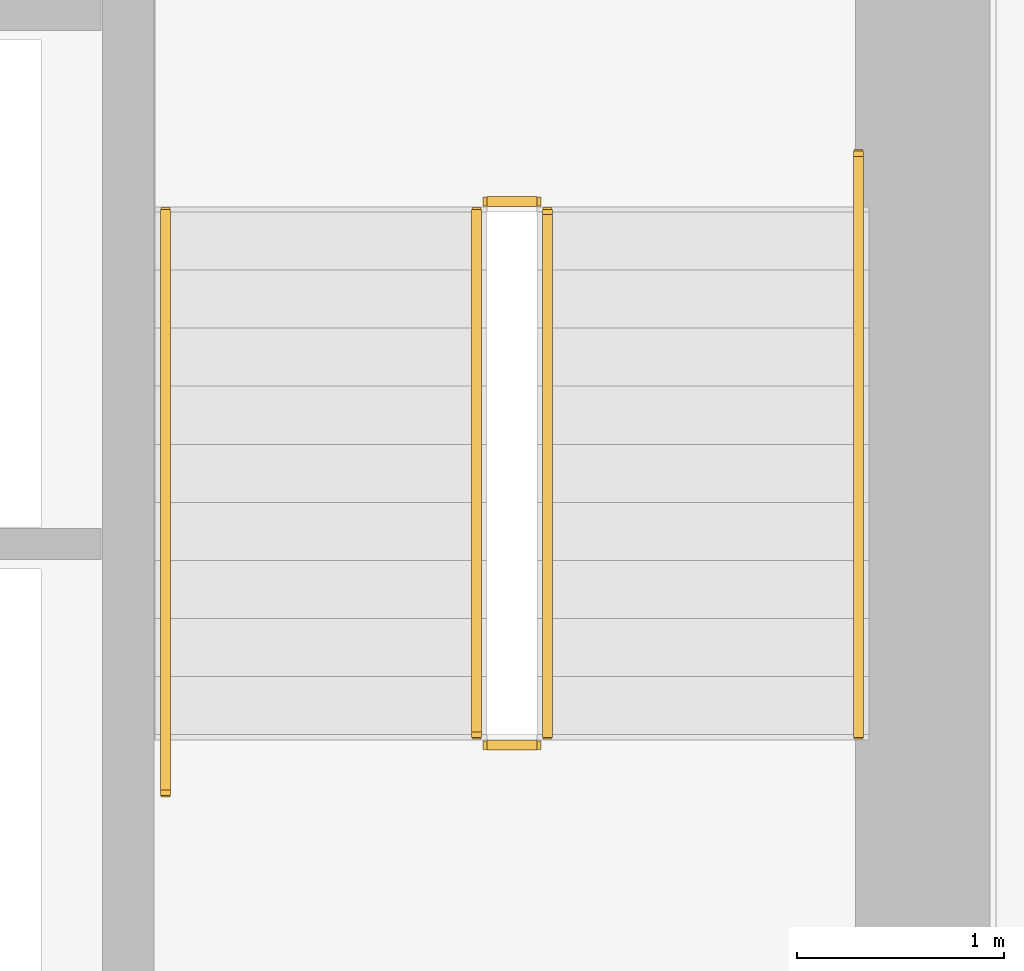
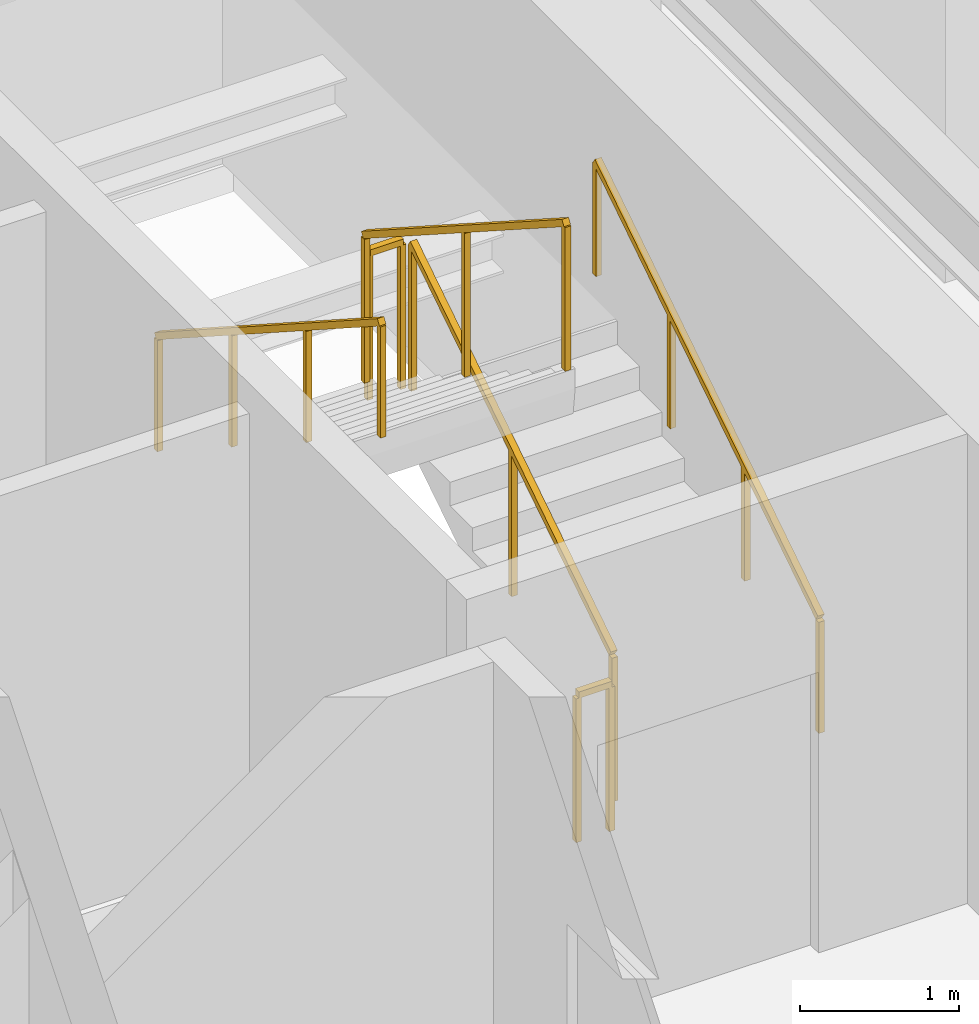
# One storey, part 27 of 28: 6 railings.
"""IFC4 building model written with IfcOpenShell, lengths in metres."""

from ifc_helpers import new_model, si_unit, direction, frame, origin, origin_2d, place, context, subcontext, project, spatial, rectangle, extrude, material, type_object, element, save


model = new_model("IFC4")

# Units and contexts
model_context = context("Model", 3, precision=1e-05, world=origin(), true_north=direction((0.0, 1.0)))
body_context = subcontext(model_context, "Body", "Model", "MODEL_VIEW")
ifc_project = project(units=[si_unit("LENGTHUNIT", "METRE"), si_unit("AREAUNIT", "SQUARE_METRE"), si_unit("VOLUMEUNIT", "CUBIC_METRE"), si_unit("PLANEANGLEUNIT", "RADIAN"), si_unit("MASSUNIT", "GRAM", prefix="KILO")], contexts=[model_context])

# Site, building, storey
site_placement = place(None, origin())
site = spatial("IfcSite", under=ifc_project, at=site_placement, CompositionType="ELEMENT")
building_placement = place(site_placement, origin())
building = spatial("IfcBuilding", under=site, at=building_placement, Name="Sumidabori Civic Tower", CompositionType="ELEMENT")
storey_placement = place(building_placement, frame((0.0, 0.0, 149.60009765625)))
storey = spatial("IfcBuildingStorey", under=building, at=storey_placement, Name="L38", CompositionType="ELEMENT", Elevation=149.60009765625)

# Railings
ifc_material_1 = material(Name="Stainless Steel Hairline Finish", Category="steel")
railing_type_1 = type_object("IfcRailingType", Name="RL-HANDRAIL", PredefinedType="HANDRAIL", material=ifc_material_1)
railing_1_placement = place(storey_placement, frame((15.2900390625, 16.0, 0.179931640625)))
element("IfcRailing", 1, at=railing_1_placement, inside=storey, type_object=railing_type_1, Name="L38 ST-2 stair handrail 1", PredefinedType="HANDRAIL", context=body_context, shape_type="SweptSolid", body=[
    extrude(rectangle(XDim=0.048095703125, YDim=0.048095703125, at=origin_2d()), frame((0.0, 0.0, 0.8759765625), z_axis=(0.0, 0.840675598268, 0.541539046124), x_axis=(-1.0, 0.0, 0.0)), (0.0, 0.0, 1.0), 3.330810546875),
    extrude(rectangle(XDim=0.0419921875, YDim=0.0419921875, at=origin_2d()), origin(), (0.0, 0.0, 1.0), 0.851806640625),
    extrude(rectangle(XDim=0.0419921875, YDim=0.0419921875, at=origin_2d()), frame((0.0, 0.933349609375, 0.601318359375)), (0.0, 0.0, 1.0), 0.851806640625),
    extrude(rectangle(XDim=0.0419921875, YDim=0.0419921875, at=origin_2d()), frame((0.0, 1.86669921875, 1.202392578125)), (0.0, 0.0, 1.0), 0.851806640625),
    extrude(rectangle(XDim=0.0419921875, YDim=0.0419921875, at=origin_2d()), frame((0.0, 2.800048828125, 1.8037109375)), (0.0, 0.0, 1.0), 0.851806640625),
])
railing_2_placement = place(storey_placement, frame((11.949951171875, 18.52001953125, 1.97998046875)))
element("IfcRailing", 2, at=railing_2_placement, inside=storey, type_object=railing_type_1, Name="L38 ST-2 stair handrail 2", PredefinedType="HANDRAIL", context=body_context, shape_type="SweptSolid", body=[
    extrude(rectangle(XDim=0.048095703125, YDim=0.048095703125, at=origin_2d()), frame((0.0, 0.0, 0.8759765625), z_axis=(0.0, -0.840675598268, 0.541539046124), x_axis=(1.0, 0.0, 0.0)), (0.0, 0.0, 1.0), 3.330810546875),
    extrude(rectangle(XDim=0.0419921875, YDim=0.0419921875, at=origin_2d()), origin(), (0.0, 0.0, 1.0), 0.851806640625),
    extrude(rectangle(XDim=0.0419921875, YDim=0.0419921875, at=origin_2d()), frame((0.0, -0.933349609375, 0.601318359375)), (0.0, 0.0, 1.0), 0.851806640625),
    extrude(rectangle(XDim=0.0419921875, YDim=0.0419921875, at=origin_2d()), frame((0.0, -1.86669921875, 1.202392578125)), (0.0, 0.0, 1.0), 0.851806640625),
    extrude(rectangle(XDim=0.0419921875, YDim=0.0419921875, at=origin_2d()), frame((0.0, -2.800048828125, 1.8037109375)), (0.0, 0.0, 1.0), 0.851806640625),
])
ifc_material_2 = material(Name="Steel SN490", Category="steel")
railing_type_2 = type_object("IfcRailingType", Name="RL-STAIR-GUARD", PredefinedType="GUARDRAIL", material=ifc_material_2)
railing_3_placement = place(storey_placement, frame((13.7900390625, 16.0, 0.179931640625)))
element("IfcRailing", 3, at=railing_3_placement, inside=storey, type_object=railing_type_2, Name="L38 ST-2 stair guard 1", PredefinedType="GUARDRAIL", context=body_context, shape_type="SweptSolid", body=[
    extrude(rectangle(XDim=0.048095703125, YDim=0.048095703125, at=origin_2d()), frame((0.0, 0.0, 1.1259765625), z_axis=(0.0, 0.841199657755, 0.540724639528), x_axis=(-1.0, 0.0, 0.0)), (0.0, 0.0, 1.0), 2.995849609375),
    extrude(rectangle(XDim=0.0419921875, YDim=0.0419921875, at=origin_2d()), origin(), (0.0, 0.0, 1.0), 1.101806640625),
    extrude(rectangle(XDim=0.0419921875, YDim=0.0419921875, at=origin_2d()), frame((0.0, 1.260009765625, 0.81005859375)), (0.0, 0.0, 1.0), 1.101806640625),
    extrude(rectangle(XDim=0.0419921875, YDim=0.0419921875, at=origin_2d()), frame((0.0, 2.52001953125, 1.619873046875)), (0.0, 0.0, 1.0), 1.101806640625),
])
railing_4_placement = place(storey_placement, frame((13.739990234375, 18.570068359375, 1.7998046875)))
element("IfcRailing", 4, at=railing_4_placement, inside=storey, type_object=railing_type_2, Name="L38 ST-2 stair guard 2", PredefinedType="GUARDRAIL", context=body_context, shape_type="SweptSolid", body=[
    extrude(rectangle(XDim=0.048095703125, YDim=0.048095703125, at=origin_2d()), frame((0.0, 0.0, 1.1259765625), z_axis=(-1.0, 0.0, 0.0), x_axis=(0.0, -1.0, 0.0)), (0.0, 0.0, 1.0), 0.239990234375),
    extrude(rectangle(XDim=0.0419921875, YDim=0.0419921875, at=origin_2d()), origin(), (0.0, 0.0, 1.0), 1.101806640625),
    extrude(rectangle(XDim=0.0419921875, YDim=0.0419921875, at=origin_2d()), frame((-0.239990234375, 0.0, 0.0)), (0.0, 0.0, 1.0), 1.101806640625),
])
railing_5_placement = place(storey_placement, frame((13.449951171875, 18.52001953125, 1.97998046875)))
element("IfcRailing", 5, at=railing_5_placement, inside=storey, type_object=railing_type_2, Name="L38 ST-2 stair guard 3", PredefinedType="GUARDRAIL", context=body_context, shape_type="SweptSolid", body=[
    extrude(rectangle(XDim=0.048095703125, YDim=0.048095703125, at=origin_2d()), frame((0.0, 0.0, 1.1259765625), z_axis=(0.0, -0.841199657755, 0.540724639528), x_axis=(1.0, 0.0, 0.0)), (0.0, 0.0, 1.0), 2.995849609375),
    extrude(rectangle(XDim=0.0419921875, YDim=0.0419921875, at=origin_2d()), origin(), (0.0, 0.0, 1.0), 1.101806640625),
    extrude(rectangle(XDim=0.0419921875, YDim=0.0419921875, at=origin_2d()), frame((0.0, -1.260009765625, 0.81005859375)), (0.0, 0.0, 1.0), 1.101806640625),
    extrude(rectangle(XDim=0.0419921875, YDim=0.0419921875, at=origin_2d()), frame((0.0, -2.52001953125, 1.619873046875)), (0.0, 0.0, 1.0), 1.101806640625),
])
railing_6_placement = place(storey_placement, frame((13.739990234375, 15.949951171875, 0.0)))
element("IfcRailing", 6, at=railing_6_placement, inside=storey, type_object=railing_type_2, Name="L38 ST-2 stair guard 4", PredefinedType="GUARDRAIL", context=body_context, shape_type="SweptSolid", body=[
    extrude(rectangle(XDim=0.048095703125, YDim=0.048095703125, at=origin_2d()), frame((0.0, 0.0, 1.1259765625), z_axis=(-1.0, 0.0, 0.0), x_axis=(0.0, -1.0, 0.0)), (0.0, 0.0, 1.0), 0.239990234375),
    extrude(rectangle(XDim=0.0419921875, YDim=0.0419921875, at=origin_2d()), origin(), (0.0, 0.0, 1.0), 1.101806640625),
    extrude(rectangle(XDim=0.0419921875, YDim=0.0419921875, at=origin_2d()), frame((-0.239990234375, 0.0, 0.0)), (0.0, 0.0, 1.0), 1.101806640625),
])

save(model, "model.ifc")
